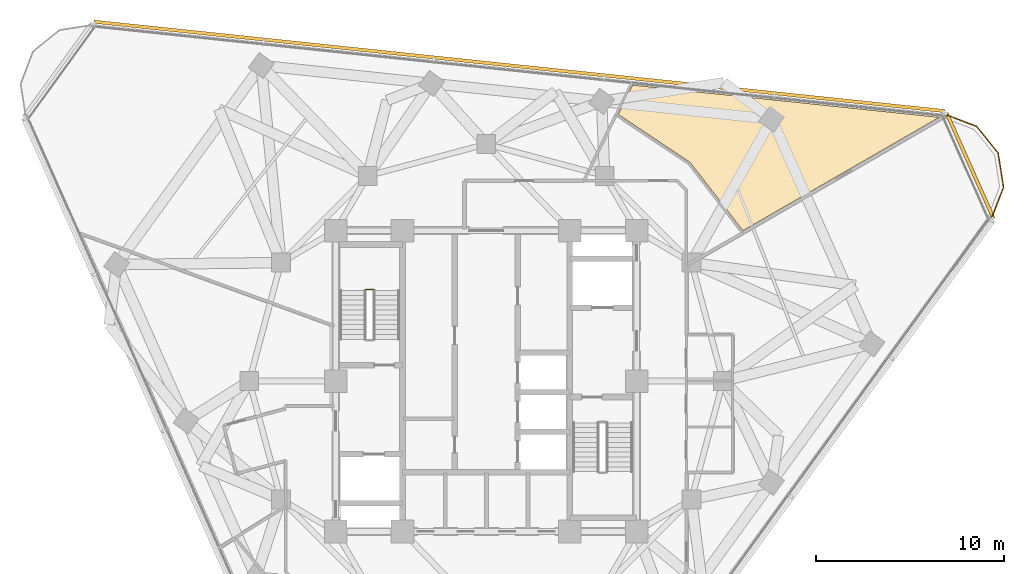
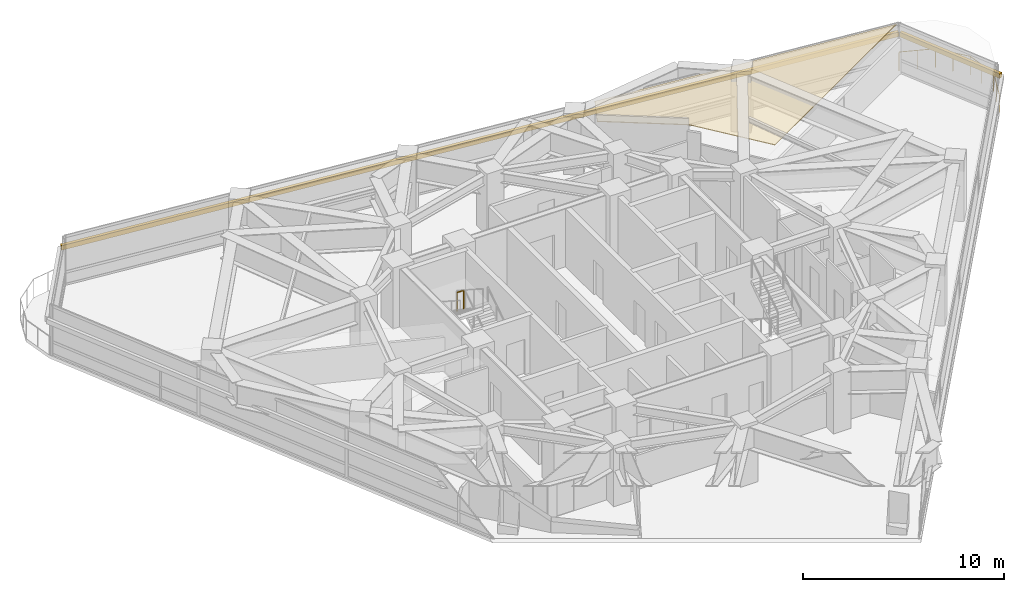
# One storey, part 14 of 14: 2 railings, 2 shading devices, 1 covering.
"""IFC4 building model written with IfcOpenShell, lengths in metres."""

from ifc_helpers import new_model, si_unit, direction, frame, origin, origin_2d, place, context, subcontext, project, spatial, polyline, rectangle, circle, outline, extrude, material, layer, layer_set, type_object, element, save


model = new_model("IFC4")

# Units and contexts
model_context = context("Model", 3, precision=1e-05, world=origin(), true_north=direction((0.0, 1.0)))
body_context = subcontext(model_context, "Body", "Model", "MODEL_VIEW")
ifc_project = project(units=[si_unit("LENGTHUNIT", "METRE"), si_unit("AREAUNIT", "SQUARE_METRE"), si_unit("VOLUMEUNIT", "CUBIC_METRE"), si_unit("PLANEANGLEUNIT", "RADIAN"), si_unit("MASSUNIT", "GRAM", prefix="KILO")], contexts=[model_context])

# Site, building, storey
site_placement = place(None, origin())
site = spatial("IfcSite", under=ifc_project, at=site_placement, CompositionType="ELEMENT")
building_placement = place(site_placement, origin())
building = spatial("IfcBuilding", under=site, at=building_placement, Name="Terralouvre Media Tower", CompositionType="ELEMENT")
storey_placement = place(building_placement, frame((0.0, 0.0, 244.800048828125)))
storey = spatial("IfcBuildingStorey", under=building, at=storey_placement, Name="L63", CompositionType="ELEMENT", Elevation=244.800048828125)

# Covering
ifc_material_1 = material(Name="Perforated aluminium acoustic ceiling baffle", Category="aluminium")
ifc_layer_1 = layer(ifc_material_1, 0.0400390625, Name="Perforated Acoustic Metal Tile Ceiling CL-AC1")
ifc_layer_set_1 = layer_set([ifc_layer_1], Name="Perforated aluminium acoustic ceiling baffle")
covering_type = type_object("IfcCoveringType", Name="Perforated Acoustic Metal Tile Ceiling CL-AC1", PredefinedType="CEILING", material=ifc_layer_set_1)
covering_placement = place(storey_placement, frame((0.0, 0.0, 2.97998046875), z_axis=(0.0, 0.0, 1.0), x_axis=(0.587785252292, 0.809016994375, 0.0)))
element("IfcCovering", 1, at=covering_placement, inside=storey, type_object=covering_type, Name="L63 Event Planning Conference Room 6 Acoustic Ceiling", PredefinedType="CEILING", context=body_context, shape_type="SweptSolid", body=[
    extrude(outline(polyline([(15.781982421875, -1.922119140625), (15.781982421875, -1.932861328125), (15.780517578125, -1.943603515625), (15.778076171875, -1.9541015625), (14.498046875, -6.345703125), (25.505126953125, -11.24609375), (17.308837890625, 2.9501953125), (15.60205078125, 2.6494140625), (15.781982421875, -1.922119140625)])), origin(), (0.0, 0.0, 1.0), 0.0400390625),
])

# Railings
ifc_material_2 = material(Name="Stainless steel 316 handrail and balustrade", Category="steel")
ifc_layer_2 = layer(ifc_material_2, 0.06005859375, Name="Roof Edge Safety Guardrail GR-ROOF1")
ifc_layer_set_2 = layer_set([ifc_layer_2], Name="Stainless steel 316 handrail and balustrade")
railing_type_1 = type_object("IfcRailingType", Name="Roof Edge Safety Guardrail GR-ROOF1", PredefinedType="GUARDRAIL", material=ifc_layer_set_2)
railing_1_placement = place(storey_placement, frame((26.85595703125, 8.593505859375, 0.0)))
element("IfcRailing", 2, at=railing_1_placement, inside=storey, type_object=railing_type_1, Name="L63 Wind-Corner Perimeter Safety Guardrail C1", PredefinedType="GUARDRAIL", context=body_context, shape_type="SweptSolid", body=[
    extrude(circle(Radius=0.02099609375, at=origin_2d()), frame((0.0, 0.0, 1.12890625), z_axis=(0.358685184164, 0.933458589688, 0.0), x_axis=(-0.933458589688, 0.358685184164, 0.0)), (0.0, 0.0, 1.0), 1.837158203125),
    extrude(circle(Radius=0.02099609375, at=origin_2d()), frame((0.658935546875, 1.71484375, 1.12890625), z_axis=(-0.156310663238, 0.987707940921, 0.0), x_axis=(-0.987707940921, -0.156310663238, 0.0)), (0.0, 0.0, 1.0), 1.836669921875),
    extrude(circle(Radius=0.02099609375, at=origin_2d()), frame((0.371826171875, 3.529052734375, 1.12890625), z_axis=(-0.629481130122, 0.777015769995, 0.0), x_axis=(-0.777015769995, -0.629481130122, 0.0)), (0.0, 0.0, 1.0), 1.8369140625),
    extrude(circle(Radius=0.02099609375, at=origin_2d()), frame((-0.784423828125, 4.956298828125, 1.12890625), z_axis=(-0.933653545479, 0.358177409974, 0.0), x_axis=(-0.358177409974, -0.933653545479, 0.0)), (0.0, 0.0, 1.0), 1.8369140625),
    extrude(circle(Radius=0.01904296875, at=origin_2d()), origin(), (0.0, 0.0, 1.0), 1.10791015625),
    extrude(circle(Radius=0.01904296875, at=origin_2d()), frame((0.32958984375, 0.857421875, 0.0)), (0.0, 0.0, 1.0), 1.10791015625),
    extrude(circle(Radius=0.01904296875, at=origin_2d()), frame((0.658935546875, 1.71484375, 0.0)), (0.0, 0.0, 1.0), 1.10791015625),
    extrude(circle(Radius=0.01904296875, at=origin_2d()), frame((0.515380859375, 2.6220703125, 0.0)), (0.0, 0.0, 1.0), 1.10791015625),
    extrude(circle(Radius=0.01904296875, at=origin_2d()), frame((0.371826171875, 3.529052734375, 0.0)), (0.0, 0.0, 1.0), 1.10791015625),
    extrude(circle(Radius=0.01904296875, at=origin_2d()), frame((-0.206298828125, 4.24267578125, 0.0)), (0.0, 0.0, 1.0), 1.10791015625),
    extrude(circle(Radius=0.01904296875, at=origin_2d()), frame((-0.784423828125, 4.956298828125, 0.0)), (0.0, 0.0, 1.0), 1.10791015625),
    extrude(circle(Radius=0.01904296875, at=origin_2d()), frame((-1.64208984375, 5.28515625, 0.0)), (0.0, 0.0, 1.0), 1.10791015625),
    extrude(circle(Radius=0.01904296875, at=origin_2d()), frame((-2.49951171875, 5.6142578125, 0.0)), (0.0, 0.0, 1.0), 1.10791015625),
])
ifc_material_3 = material(Name="Stainless steel 316 handrail and balustrade", Category="steel")
ifc_layer_3 = layer(ifc_material_3, 0.050048828125, Name="Stairwell Safety Guardrail GR-INT1")
ifc_layer_set_3 = layer_set([ifc_layer_3], Name="Stainless steel 316 handrail and balustrade")
railing_type_2 = type_object("IfcRailingType", Name="Stairwell Safety Guardrail GR-INT1", PredefinedType="GUARDRAIL", material=ifc_layer_set_3)
railing_2_placement = place(storey_placement, frame((-6.0, 4.8701171875, 1.849853515625)))
element("IfcRailing", 3, at=railing_2_placement, inside=storey, type_object=railing_type_2, Name="L63 ST-01 stair guard 2", PredefinedType="GUARDRAIL", context=body_context, shape_type="SweptSolid", body=[
    extrude(circle(Radius=0.02392578125, at=origin_2d()), frame((0.0, 0.0, 1.1259765625), z_axis=(-1.0, 0.0, 0.0), x_axis=(0.0, -1.0, 0.0)), (0.0, 0.0, 1.0), 0.3798828125),
    extrude(circle(Radius=0.02099609375, at=origin_2d()), origin(), (0.0, 0.0, 1.0), 1.101806640625),
    extrude(circle(Radius=0.02099609375, at=origin_2d()), frame((-0.3798828125, 0.0, 0.0)), (0.0, 0.0, 1.0), 1.101806640625),
])

# Shading devices
ifc_material_4 = material(Name="Extruded terracotta baguette sunshade louvres", Category="masonry")
shading_device_type = type_object("IfcShadingDeviceType", Name="Terracotta Baguette Sunshade Louvre Screen TB-LV1", PredefinedType="USERDEFINED", material=ifc_material_4)
shading_device_1_placement = place(storey_placement, frame((1.758544921875, 16.732666015625, 2.02392578125), z_axis=(0.0, 0.0, 1.0), x_axis=(-0.994521885028, 0.104528561651, 0.0)))
element("IfcShadingDevice", 4, at=shading_device_1_placement, inside=storey, type_object=shading_device_type, Name="CW-L63-F1 Terracotta Baguette Sunshade Louvre", ObjectType="BAGUETTE", PredefinedType="USERDEFINED", context=body_context, shape_type="SweptSolid", body=[
    extrude(rectangle(XDim=45.5, YDim=0.179931640625, at=origin_2d()), origin(), (0.0, 0.0, 1.0), 0.280029296875),
])
shading_device_2_placement = place(storey_placement, frame((25.7294921875, 11.45556640625, 2.02392578125), z_axis=(0.0, 0.0, 1.0), x_axis=(-0.406737441315, 0.913545102243, 0.0)))
element("IfcShadingDevice", 5, at=shading_device_2_placement, inside=storey, type_object=shading_device_type, Name="CW-L63-C1 Terracotta Baguette Sunshade Louvre", ObjectType="BAGUETTE", PredefinedType="USERDEFINED", context=body_context, shape_type="SweptSolid", body=[
    extrude(rectangle(XDim=6.148681640625, YDim=0.179931640625, at=origin_2d()), origin(), (0.0, 0.0, 1.0), 0.280029296875),
])

save(model, "model.ifc")
